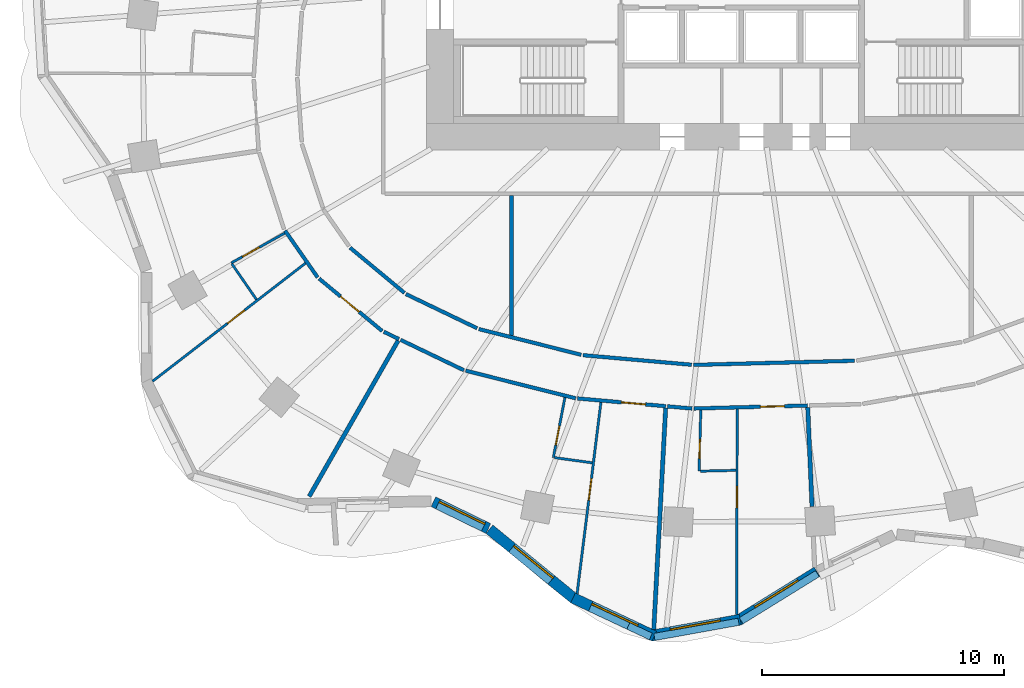
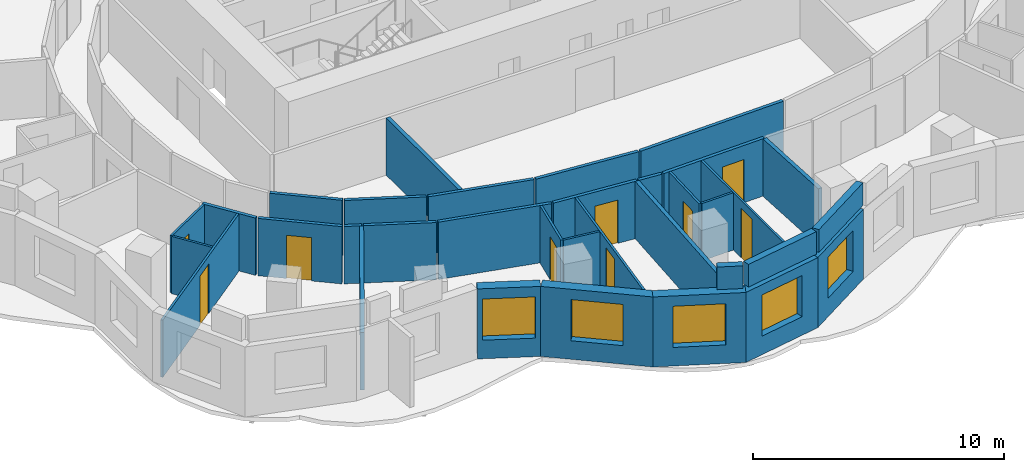
# One storey, part 5 of 14: 34 walls, 9 doors, 5 windows, 14 openings.
"""IFC4 building model written with IfcOpenShell, lengths in metres."""

from ifc_helpers import new_model, si_unit, direction, frame, frame_2d, origin, place, context, subcontext, project, spatial, rectangle, extrude, material, layer, layer_set, type_object, element, fill, save


model = new_model("IFC4")

# Units and contexts
model_context = context("Model", 3, precision=1e-05, world=origin(), true_north=direction((0.0, 1.0)))
body_context = subcontext(model_context, "Body", "Model", "MODEL_VIEW")
ifc_project = project(units=[si_unit("LENGTHUNIT", "METRE"), si_unit("AREAUNIT", "SQUARE_METRE"), si_unit("VOLUMEUNIT", "CUBIC_METRE"), si_unit("PLANEANGLEUNIT", "RADIAN"), si_unit("MASSUNIT", "GRAM", prefix="KILO")], contexts=[model_context])

# Site, building, storey
site_placement = place(None, origin())
site = spatial("IfcSite", under=ifc_project, at=site_placement, CompositionType="ELEMENT")
building_placement = place(site_placement, origin())
building = spatial("IfcBuilding", under=site, at=building_placement, Name="Rubra Terraces Tower", CompositionType="ELEMENT")
storey_placement = place(building_placement, frame((0.0, 0.0, 103.199951171875)))
storey = spatial("IfcBuildingStorey", under=building, at=storey_placement, Name="L24", CompositionType="ELEMENT", Elevation=103.199951171875)

# Walls
ifc_material_1 = material(Name="Twin plasterboard on staggered steel stud, acoustic mineral wool", Category="steel")
ifc_layer_1 = layer(ifc_material_1, 0.175048828125)
ifc_layer_set_1 = layer_set([ifc_layer_1], Name="Twin plasterboard on staggered steel stud, acoustic mineral wool")
wall_type_1 = type_object("IfcWallType", Name="ACOUSTIC PARTY WALL 175", PredefinedType="PARTITIONING", material=ifc_layer_set_1)
wall_1_placement = place(storey_placement, frame((-17.8544921875, -17.305908203125, 0.0), z_axis=(0.0, 0.0, 1.0), x_axis=(0.495791223875, 0.868441743774, 0.0)))
element("IfcWall", 1, at=wall_1_placement, inside=storey, type_object=wall_type_1, Name="PARTITION", PredefinedType="PARTITIONING", context=body_context, shape_type="SweptSolid", body=[
    extrude(rectangle(XDim=7.4111328125, YDim=0.175048828125, at=frame_2d((3.70556640625, 0.0))), origin(), (0.0, 0.0, 1.0), 2.783935546875),
])
wall_2_placement = place(storey_placement, frame((-3.616455078125, -22.80810546875, 0.0), z_axis=(0.0, 0.0, 1.0), x_axis=(0.053604251486, 0.998562258561, 0.0)))
element("IfcWall", 2, at=wall_2_placement, inside=storey, type_object=wall_type_1, Name="PARTITION", PredefinedType="PARTITIONING", context=body_context, shape_type="SweptSolid", body=[
    extrude(rectangle(XDim=9.168212890625, YDim=0.175048828125, at=frame_2d((4.583984375, 0.0))), origin(), (0.0, 0.0, 1.0), 2.783935546875),
])
wall_3_placement = place(storey_placement, frame((2.922607421875, -17.7294921875, 0.0), z_axis=(0.0, 0.0, 1.0), x_axis=(-0.043145793773, 0.999068786661, 0.0)))
element("IfcWall", 3, at=wall_3_placement, inside=storey, type_object=wall_type_1, Name="PARTITION", PredefinedType="PARTITIONING", context=body_context, shape_type="SweptSolid", body=[
    extrude(rectangle(XDim=4.108154296875, YDim=0.175048828125, at=frame_2d((2.05419921875, 0.0))), origin(), (0.0, 0.0, 1.0), 2.783935546875),
])
wall_4_placement = place(storey_placement, frame((-9.5, -10.653564453125, 0.0), z_axis=(0.0, 0.0, 1.0), x_axis=(0.0, 1.0, 0.0)))
element("IfcWall", 4, at=wall_4_placement, inside=storey, type_object=wall_type_1, Name="PARTITION", PredefinedType="PARTITIONING", context=body_context, shape_type="SweptSolid", body=[
    extrude(rectangle(XDim=5.778564453125, YDim=0.175048828125, at=frame_2d((2.88916015625, 0.0))), origin(), (0.0, 0.0, 1.0), 2.783935546875),
])

# Wall, opening, window
ifc_material_2 = material(Name="Brick masonry red-brown", Category="masonry")
ifc_layer_2 = layer(ifc_material_2, 0.449951171875)
ifc_layer_set_2 = layer_set([ifc_layer_2], Name="Brick masonry red-brown")
wall_type_2 = type_object("IfcWallType", Name="Brick facade wall 450", PredefinedType="SOLIDWALL", material=ifc_layer_set_2)
wall_5_placement = place(storey_placement, frame((-12.718994140625, -17.52587890625, 0.0), z_axis=(0.0, 0.0, 1.0), x_axis=(0.898643806462, -0.438679050226, 0.0)))
wall_5 = element("IfcWall", 5, at=wall_5_placement, inside=storey, type_object=wall_type_2, Name="Facade wall L24 bay 27", PredefinedType="SOLIDWALL", context=body_context, shape_type="SweptSolid", body=[
    extrude(rectangle(XDim=2.5234375, YDim=0.449951171875, at=frame_2d((1.26171875, 0.0))), origin(), (0.0, 0.0, 1.0), 3.400146484375),
])
opening_1_placement = place(wall_5_placement, frame((0.2119140625, 0.0, 0.89990234375)))
opening_1 = element("IfcOpeningElement", 6, at=opening_1_placement, cuts=wall_5, Name="Opening W1", PredefinedType="OPENING", context=body_context, shape_type="SweptSolid", body=[
    extrude(rectangle(XDim=2.10009765625, YDim=2.0, at=frame_2d((1.050048828125, 1.0))), frame((0.0, 0.23486328125, 0.0), z_axis=(0.0, -1.0, 0.0), x_axis=(1.0, 0.0, 0.0)), (0.0, 0.0, 1.0), 0.469970703125),
])
ifc_material_3 = material(Name="Clear glass in aluminium frame", Category="aluminium")
window_type = type_object("IfcWindowType", Name="Fixed deep-set window 2100 x 2000", PartitioningType="SINGLE_PANEL", PredefinedType="WINDOW", material=ifc_material_3)
window_1_placement = place(opening_1_placement, origin())
window_1 = element("IfcWindow", 7, at=window_1_placement, inside=storey, type_object=window_type, Name="Window L24 bay 27", OverallHeight=2.0, OverallWidth=2.10009765625, PartitioningType="SINGLE_PANEL", PredefinedType="WINDOW", context=body_context, shape_type="SweptSolid", body=[
    extrude(rectangle(XDim=2.10009765625, YDim=2.0, at=frame_2d((1.050048828125, 1.0))), frame((0.0, 0.135009765625, 0.0), z_axis=(0.0, -1.0, 0.0), x_axis=(1.0, 0.0, 0.0)), (0.0, 0.0, 1.0), 0.06005859375),
])
fill(opening_1, window_1)

wall_6_placement = place(storey_placement, frame((-10.407470703125, -18.660888671875, 0.0), z_axis=(0.0, 0.0, 1.0), x_axis=(0.773702458947, -0.633549133864, 0.0)))
wall_6 = element("IfcWall", 8, at=wall_6_placement, inside=storey, type_object=wall_type_2, Name="Facade wall L24 bay 28", PredefinedType="SOLIDWALL", context=body_context, shape_type="SweptSolid", body=[
    extrude(rectangle(XDim=4.525634765625, YDim=0.449951171875, at=frame_2d((2.2626953125, 0.0))), origin(), (0.0, 0.0, 1.0), 3.400146484375),
])
opening_2_placement = place(wall_6_placement, frame((1.212890625, 0.0, 0.89990234375)))
opening_2 = element("IfcOpeningElement", 9, at=opening_2_placement, cuts=wall_6, Name="Opening W1", PredefinedType="OPENING", context=body_context, shape_type="SweptSolid", body=[
    extrude(rectangle(XDim=2.10009765625, YDim=2.0, at=frame_2d((1.050048828125, 1.0))), frame((0.0, 0.23486328125, 0.0), z_axis=(0.0, -1.0, 0.0), x_axis=(1.0, 0.0, 0.0)), (0.0, 0.0, 1.0), 0.469970703125),
])
window_2_placement = place(opening_2_placement, origin())
window_2 = element("IfcWindow", 10, at=window_2_placement, inside=storey, type_object=window_type, Name="Window L24 bay 28", OverallHeight=2.0, OverallWidth=2.10009765625, PartitioningType="SINGLE_PANEL", PredefinedType="WINDOW", context=body_context, shape_type="SweptSolid", body=[
    extrude(rectangle(XDim=2.10009765625, YDim=2.0, at=frame_2d((1.050048828125, 1.0))), frame((0.0, 0.135009765625, 0.0), z_axis=(0.0, -1.0, 0.0), x_axis=(1.0, 0.0, 0.0)), (0.0, 0.0, 1.0), 0.06005859375),
])
fill(opening_2, window_2)

wall_7_placement = place(storey_placement, frame((-6.952880859375, -21.49853515625, 0.0), z_axis=(0.0, 0.0, 1.0), x_axis=(0.905034581957, -0.425337989676, 0.0)))
wall_7 = element("IfcWall", 11, at=wall_7_placement, inside=storey, type_object=wall_type_2, Name="Facade wall L24 bay 29", PredefinedType="SOLIDWALL", context=body_context, shape_type="SweptSolid", body=[
    extrude(rectangle(XDim=3.71435546875, YDim=0.449951171875, at=frame_2d((1.857177734375, 0.0))), origin(), (0.0, 0.0, 1.0), 3.400146484375),
])
opening_3_placement = place(wall_7_placement, frame((0.80712890625, 0.0, 0.89990234375)))
opening_3 = element("IfcOpeningElement", 12, at=opening_3_placement, cuts=wall_7, Name="Opening W1", PredefinedType="OPENING", context=body_context, shape_type="SweptSolid", body=[
    extrude(rectangle(XDim=2.10009765625, YDim=2.0, at=frame_2d((1.050048828125, 1.0))), frame((0.0, 0.23486328125, 0.0), z_axis=(0.0, -1.0, 0.0), x_axis=(1.0, 0.0, 0.0)), (0.0, 0.0, 1.0), 0.469970703125),
])
window_3_placement = place(opening_3_placement, origin())
window_3 = element("IfcWindow", 13, at=window_3_placement, inside=storey, type_object=window_type, Name="Window L24 bay 29", OverallHeight=2.0, OverallWidth=2.10009765625, PartitioningType="SINGLE_PANEL", PredefinedType="WINDOW", context=body_context, shape_type="SweptSolid", body=[
    extrude(rectangle(XDim=2.10009765625, YDim=2.0, at=frame_2d((1.050048828125, 1.0))), frame((0.0, 0.135009765625, 0.0), z_axis=(0.0, -1.0, 0.0), x_axis=(1.0, 0.0, 0.0)), (0.0, 0.0, 1.0), 0.06005859375),
])
fill(opening_3, window_3)

wall_8_placement = place(storey_placement, frame((-3.726806640625, -23.060546875, 0.0), z_axis=(0.0, 0.0, 1.0), x_axis=(0.984119180424, 0.177508982087, 0.0)))
wall_8 = element("IfcWall", 14, at=wall_8_placement, inside=storey, type_object=wall_type_2, Name="Facade wall L24 bay 30", PredefinedType="SOLIDWALL", context=body_context, shape_type="SweptSolid", body=[
    extrude(rectangle(XDim=3.74658203125, YDim=0.449951171875, at=frame_2d((1.873291015625, 0.0))), origin(), (0.0, 0.0, 1.0), 3.400146484375),
])
opening_4_placement = place(wall_8_placement, frame((0.8232421875, 0.0, 0.89990234375)))
opening_4 = element("IfcOpeningElement", 15, at=opening_4_placement, cuts=wall_8, Name="Opening W1", PredefinedType="OPENING", context=body_context, shape_type="SweptSolid", body=[
    extrude(rectangle(XDim=2.10009765625, YDim=2.0, at=frame_2d((1.050048828125, 1.0))), frame((0.0, 0.23486328125, 0.0), z_axis=(0.0, -1.0, 0.0), x_axis=(1.0, 0.0, 0.0)), (0.0, 0.0, 1.0), 0.469970703125),
])
window_4_placement = place(opening_4_placement, origin())
window_4 = element("IfcWindow", 16, at=window_4_placement, inside=storey, type_object=window_type, Name="Window L24 bay 30", OverallHeight=2.0, OverallWidth=2.10009765625, PartitioningType="SINGLE_PANEL", PredefinedType="WINDOW", context=body_context, shape_type="SweptSolid", body=[
    extrude(rectangle(XDim=2.10009765625, YDim=2.0, at=frame_2d((1.050048828125, 1.0))), frame((0.0, 0.135009765625, 0.0), z_axis=(0.0, -1.0, 0.0), x_axis=(1.0, 0.0, 0.0)), (0.0, 0.0, 1.0), 0.06005859375),
])
fill(opening_4, window_4)

wall_9_placement = place(storey_placement, frame((-0.114990234375, -22.423583984375, 0.0), z_axis=(0.0, 0.0, 1.0), x_axis=(0.8506970368, 0.525656305564, 0.0)))
wall_9 = element("IfcWall", 17, at=wall_9_placement, inside=storey, type_object=wall_type_2, Name="Facade wall L24 bay 31", PredefinedType="SOLIDWALL", context=body_context, shape_type="SweptSolid", body=[
    extrude(rectangle(XDim=3.81640625, YDim=0.449951171875, at=frame_2d((1.908203125, 0.0))), origin(), (0.0, 0.0, 1.0), 3.400146484375),
])
opening_5_placement = place(wall_9_placement, frame((0.858154296875, 0.0, 0.89990234375)))
opening_5 = element("IfcOpeningElement", 18, at=opening_5_placement, cuts=wall_9, Name="Opening W1", PredefinedType="OPENING", context=body_context, shape_type="SweptSolid", body=[
    extrude(rectangle(XDim=2.10009765625, YDim=2.0, at=frame_2d((1.050048828125, 1.0))), frame((0.0, 0.23486328125, 0.0), z_axis=(0.0, -1.0, 0.0), x_axis=(1.0, 0.0, 0.0)), (0.0, 0.0, 1.0), 0.469970703125),
])
window_5_placement = place(opening_5_placement, origin())
window_5 = element("IfcWindow", 19, at=window_5_placement, inside=storey, type_object=window_type, Name="Window L24 bay 31", OverallHeight=2.0, OverallWidth=2.10009765625, PartitioningType="SINGLE_PANEL", PredefinedType="WINDOW", context=body_context, shape_type="SweptSolid", body=[
    extrude(rectangle(XDim=2.10009765625, YDim=2.0, at=frame_2d((1.050048828125, 1.0))), frame((0.0, 0.135009765625, 0.0), z_axis=(0.0, -1.0, 0.0), x_axis=(1.0, 0.0, 0.0)), (0.0, 0.0, 1.0), 0.06005859375),
])
fill(opening_5, window_5)

# Walls
ifc_layer_3 = layer(ifc_material_2, 0.300048828125)
ifc_layer_set_3 = layer_set([ifc_layer_3], Name="Brick masonry red-brown")
wall_type_3 = type_object("IfcWallType", Name="Brick parapet 300", PredefinedType="PARAPET", material=ifc_layer_set_3)
wall_10_placement = place(storey_placement, frame((-4.66650390625, -22.656005859375, 3.60009765625), z_axis=(0.0, 0.0, 1.0), x_axis=(0.905050240273, -0.425304670304, 0.0)))
element("IfcWall", 20, at=wall_10_placement, inside=storey, type_object=wall_type_3, Name="Parapet L24 bay 29", PredefinedType="PARAPET", context=body_context, shape_type="SweptSolid", body=[
    extrude(rectangle(XDim=1.02685546875, YDim=0.300048828125, at=frame_2d((0.513427734375, 0.0))), origin(), (0.0, 0.0, 1.0), 1.099853515625),
])
wall_11_placement = place(storey_placement, frame((-3.58984375, -23.112060546875, 3.60009765625), z_axis=(0.0, 0.0, 1.0), x_axis=(0.984124248147, 0.177480884064, 0.0)))
element("IfcWall", 21, at=wall_11_placement, inside=storey, type_object=wall_type_3, Name="Parapet L24 bay 30", PredefinedType="PARAPET", context=body_context, shape_type="SweptSolid", body=[
    extrude(rectangle(XDim=3.533935546875, YDim=0.300048828125, at=frame_2d((1.76708984375, 0.0))), origin(), (0.0, 0.0, 1.0), 1.099853515625),
])
wall_12_placement = place(storey_placement, frame((-0.0048828125, -22.443603515625, 3.60009765625), z_axis=(0.0, 0.0, 1.0), x_axis=(0.850710394144, 0.525634688063, 0.0)))
element("IfcWall", 22, at=wall_12_placement, inside=storey, type_object=wall_type_3, Name="Parapet L24 bay 31", PredefinedType="PARAPET", context=body_context, shape_type="SweptSolid", body=[
    extrude(rectangle(XDim=3.701904296875, YDim=0.300048828125, at=frame_2d((1.85107421875, 0.0))), origin(), (0.0, 0.0, 1.0), 1.099853515625),
])
ifc_material_4 = material(Name="Plasterboard on steel stud, mineral wool infill", Category="steel")
ifc_layer_4 = layer(ifc_material_4, 0.14990234375)
ifc_layer_set_4 = layer_set([ifc_layer_4], Name="Plasterboard on steel stud, mineral wool infill")
wall_type_4 = type_object("IfcWallType", Name="CORRIDOR PARTITION 150", PredefinedType="PARTITIONING", material=ifc_layer_set_4)
wall_13_placement = place(storey_placement, frame((-18.85107421875, -6.324951171875, 0.0), z_axis=(0.0, 0.0, 1.0), x_axis=(0.572090775968, -0.820190309656, 0.0)))
element("IfcWall", 23, at=wall_13_placement, inside=storey, type_object=wall_type_4, Name="PARTITION", PredefinedType="PARTITIONING", context=body_context, shape_type="SweptSolid", body=[
    extrude(rectangle(XDim=2.354736328125, YDim=0.14990234375, at=frame_2d((1.17724609375, 0.0))), origin(), (0.0, 0.0, 1.0), 2.783935546875),
])

# Wall, opening, door
wall_14_placement = place(storey_placement, frame((-17.4462890625, -8.30419921875, 0.0), z_axis=(0.0, 0.0, 1.0), x_axis=(0.769200174495, -0.639007896318, 0.0)))
wall_14 = element("IfcWall", 24, at=wall_14_placement, inside=storey, type_object=wall_type_4, Name="PARTITION", PredefinedType="PARTITIONING", context=body_context, shape_type="SweptSolid", body=[
    extrude(rectangle(XDim=3.390380859375, YDim=0.14990234375, at=frame_2d((1.6953125, 0.0))), origin(), (0.0, 0.0, 1.0), 2.783935546875),
])
opening_6_placement = place(wall_14_placement, frame((1.156005859375, 0.0, 0.0)))
opening_6 = element("IfcOpeningElement", 25, at=opening_6_placement, cuts=wall_14, Name="Opening 24-109", PredefinedType="OPENING", context=body_context, shape_type="SweptSolid", body=[
    extrude(rectangle(XDim=1.0, YDim=2.10009765625, at=frame_2d((0.5, 1.050048828125))), frame((0.0, 0.0849609375, 0.0), z_axis=(0.0, -1.0, 0.0), x_axis=(1.0, 0.0, 0.0)), (0.0, 0.0, 1.0), 0.169921875),
])
ifc_material_5 = material(Name="Painted timber door leaf", Category="wood")
door_type_1 = type_object("IfcDoorType", Name="ROOM DOOR 1000 X 2100", OperationType="SINGLE_SWING_LEFT", PredefinedType="DOOR", material=ifc_material_5)
door_1_placement = place(opening_6_placement, origin())
door_1 = element("IfcDoor", 26, at=door_1_placement, inside=storey, type_object=door_type_1, Name="DOOR 24-109", OperationType="SINGLE_SWING_RIGHT", OverallHeight=2.10009765625, OverallWidth=1.0, PredefinedType="DOOR", context=body_context, shape_type="SweptSolid", body=[
    extrude(rectangle(XDim=1.0, YDim=2.10009765625, at=frame_2d((0.5, 1.050048828125))), frame((0.0, 0.02490234375, 0.0), z_axis=(0.0, -1.0, 0.0), x_axis=(1.0, 0.0, 0.0)), (0.0, 0.0, 1.0), 0.050048828125),
])
fill(opening_6, door_1)

# Walls
wall_15_placement = place(storey_placement, frame((-14.77099609375, -10.50341796875, 0.0), z_axis=(0.0, 0.0, 1.0), x_axis=(0.901599625174, -0.432571515344, 0.0)))
element("IfcWall", 27, at=wall_15_placement, inside=storey, type_object=wall_type_4, Name="PARTITION", PredefinedType="PARTITIONING", context=body_context, shape_type="SweptSolid", body=[
    extrude(rectangle(XDim=0.696533203125, YDim=0.14990234375, at=frame_2d((0.34814453125, 0.0))), origin(), (0.0, 0.0, 1.0), 2.783935546875),
])
wall_16_placement = place(storey_placement, frame((-14.075439453125, -10.83740234375, 0.0), z_axis=(0.0, 0.0, 1.0), x_axis=(0.901513866033, -0.432750215887, 0.0)))
element("IfcWall", 28, at=wall_16_placement, inside=storey, type_object=wall_type_4, Name="PARTITION", PredefinedType="PARTITIONING", context=body_context, shape_type="SweptSolid", body=[
    extrude(rectangle(XDim=2.9013671875, YDim=0.14990234375, at=frame_2d((1.45068359375, 0.0))), origin(), (0.0, 0.0, 1.0), 2.783935546875),
])
wall_17_placement = place(storey_placement, frame((-11.386962890625, -12.111328125, 0.0), z_axis=(0.0, 0.0, 1.0), x_axis=(0.96999205549, -0.243136612393, 0.0)))
element("IfcWall", 29, at=wall_17_placement, inside=storey, type_object=wall_type_4, Name="PARTITION", PredefinedType="PARTITIONING", context=body_context, shape_type="SweptSolid", body=[
    extrude(rectangle(XDim=4.683349609375, YDim=0.14990234375, at=frame_2d((2.341796875, 0.0))), origin(), (0.0, 0.0, 1.0), 2.783935546875),
])

# Wall, opening, door
wall_18_placement = place(storey_placement, frame((-6.76953125, -13.256591796875, 0.0), z_axis=(0.0, 0.0, 1.0), x_axis=(0.996139113685, -0.087788758881, 0.0)))
wall_18 = element("IfcWall", 30, at=wall_18_placement, inside=storey, type_object=wall_type_4, Name="PARTITION", PredefinedType="PARTITIONING", context=body_context, shape_type="SweptSolid", body=[
    extrude(rectangle(XDim=3.66259765625, YDim=0.14990234375, at=frame_2d((1.831298828125, 0.0))), origin(), (0.0, 0.0, 1.0), 2.783935546875),
])
opening_7_placement = place(wall_18_placement, frame((1.822998046875, 0.0, 0.0)))
opening_7 = element("IfcOpeningElement", 31, at=opening_7_placement, cuts=wall_18, Name="Opening 24-112", PredefinedType="OPENING", context=body_context, shape_type="SweptSolid", body=[
    extrude(rectangle(XDim=1.0, YDim=2.10009765625, at=frame_2d((0.5, 1.050048828125))), frame((0.0, 0.0849609375, 0.0), z_axis=(0.0, -1.0, 0.0), x_axis=(1.0, 0.0, 0.0)), (0.0, 0.0, 1.0), 0.169921875),
])
door_2_placement = place(opening_7_placement, origin())
door_2 = element("IfcDoor", 32, at=door_2_placement, inside=storey, type_object=door_type_1, Name="DOOR 24-112", OperationType="SINGLE_SWING_RIGHT", OverallHeight=2.10009765625, OverallWidth=1.0, PredefinedType="DOOR", context=body_context, shape_type="SweptSolid", body=[
    extrude(rectangle(XDim=1.0, YDim=2.10009765625, at=frame_2d((0.5, 1.050048828125))), frame((0.0, 0.02490234375, 0.0), z_axis=(0.0, -1.0, 0.0), x_axis=(1.0, 0.0, 0.0)), (0.0, 0.0, 1.0), 0.050048828125),
])
fill(opening_7, door_2)

# Wall
wall_19_placement = place(storey_placement, frame((-3.04638671875, -13.584716796875, 0.0), z_axis=(0.0, 0.0, 1.0), x_axis=(0.99614280397, -0.087746875151, 0.0)))
element("IfcWall", 33, at=wall_19_placement, inside=storey, type_object=wall_type_4, Name="PARTITION", PredefinedType="PARTITIONING", context=body_context, shape_type="SweptSolid", body=[
    extrude(rectangle(XDim=1.018310546875, YDim=0.14990234375, at=frame_2d((0.50927734375, 0.0))), origin(), (0.0, 0.0, 1.0), 2.783935546875),
])

# Wall, opening, door
wall_20_placement = place(storey_placement, frame((-1.95703125, -13.672119140625, 0.0), z_axis=(0.0, 0.0, 1.0), x_axis=(0.99966412241, 0.025916063855, 0.0)))
wall_20 = element("IfcWall", 34, at=wall_20_placement, inside=storey, type_object=wall_type_4, Name="PARTITION", PredefinedType="PARTITIONING", context=body_context, shape_type="SweptSolid", body=[
    extrude(rectangle(XDim=4.70068359375, YDim=0.14990234375, at=frame_2d((2.350341796875, 0.0))), origin(), (0.0, 0.0, 1.0), 2.783935546875),
])
opening_8_placement = place(wall_20_placement, frame((2.742919921875, 0.0, 0.0)))
opening_8 = element("IfcOpeningElement", 35, at=opening_8_placement, cuts=wall_20, Name="Opening 24-115", PredefinedType="OPENING", context=body_context, shape_type="SweptSolid", body=[
    extrude(rectangle(XDim=1.0, YDim=2.10009765625, at=frame_2d((0.5, 1.050048828125))), frame((0.0, 0.0849609375, 0.0), z_axis=(0.0, -1.0, 0.0), x_axis=(1.0, 0.0, 0.0)), (0.0, 0.0, 1.0), 0.169921875),
])
door_3_placement = place(opening_8_placement, origin())
door_3 = element("IfcDoor", 36, at=door_3_placement, inside=storey, type_object=door_type_1, Name="DOOR 24-115", OperationType="SINGLE_SWING_RIGHT", OverallHeight=2.10009765625, OverallWidth=1.0, PredefinedType="DOOR", context=body_context, shape_type="SweptSolid", body=[
    extrude(rectangle(XDim=1.0, YDim=2.10009765625, at=frame_2d((0.5, 1.050048828125))), frame((0.0, 0.02490234375, 0.0), z_axis=(0.0, -1.0, 0.0), x_axis=(1.0, 0.0, 0.0)), (0.0, 0.0, 1.0), 0.050048828125),
])
fill(opening_8, door_3)

# Walls
wall_21_placement = place(storey_placement, frame((4.684326171875, -11.69921875, 0.0), z_axis=(0.0, 0.0, 1.0), x_axis=(-0.999663438204, -0.025942442425, 0.0)))
element("IfcWall", 37, at=wall_21_placement, inside=storey, type_object=wall_type_4, Name="PARTITION", PredefinedType="PARTITIONING", context=body_context, shape_type="SweptSolid", body=[
    extrude(rectangle(XDim=6.662841796875, YDim=0.14990234375, at=frame_2d((3.33154296875, 0.0))), origin(), (0.0, 0.0, 1.0), 2.783935546875),
])
wall_22_placement = place(storey_placement, frame((-2.05078125, -11.865478515625, 0.0), z_axis=(0.0, 0.0, 1.0), x_axis=(-0.996139599493, 0.087783246245, 0.0)))
element("IfcWall", 38, at=wall_22_placement, inside=storey, type_object=wall_type_4, Name="PARTITION", PredefinedType="PARTITIONING", context=body_context, shape_type="SweptSolid", body=[
    extrude(rectangle(XDim=4.510986328125, YDim=0.14990234375, at=frame_2d((2.25537109375, 0.0))), origin(), (0.0, 0.0, 1.0), 2.783935546875),
])
wall_23_placement = place(storey_placement, frame((-6.6171875, -11.451416015625, 0.0), z_axis=(0.0, 0.0, 1.0), x_axis=(-0.969987441267, 0.243155020069, 0.0)))
element("IfcWall", 39, at=wall_23_placement, inside=storey, type_object=wall_type_4, Name="PARTITION", PredefinedType="PARTITIONING", context=body_context, shape_type="SweptSolid", body=[
    extrude(rectangle(XDim=4.358642578125, YDim=0.14990234375, at=frame_2d((2.17919921875, 0.0))), origin(), (0.0, 0.0, 1.0), 2.783935546875),
])
wall_24_placement = place(storey_placement, frame((-10.91259765625, -10.35888671875, 0.0), z_axis=(0.0, 0.0, 1.0), x_axis=(-0.90149741277, 0.432784489982, 0.0)))
element("IfcWall", 40, at=wall_24_placement, inside=storey, type_object=wall_type_4, Name="PARTITION", PredefinedType="PARTITIONING", context=body_context, shape_type="SweptSolid", body=[
    extrude(rectangle(XDim=3.2685546875, YDim=0.14990234375, at=frame_2d((1.63427734375, 0.0))), origin(), (0.0, 0.0, 1.0), 2.783935546875),
])
wall_25_placement = place(storey_placement, frame((-13.916748046875, -8.896484375, 0.0), z_axis=(0.0, 0.0, 1.0), x_axis=(-0.769130409479, 0.639091866021, 0.0)))
element("IfcWall", 41, at=wall_25_placement, inside=storey, type_object=wall_type_4, Name="PARTITION", PredefinedType="PARTITIONING", context=body_context, shape_type="SweptSolid", body=[
    extrude(rectangle(XDim=2.925048828125, YDim=0.14990234375, at=frame_2d((1.46240234375, 0.0))), origin(), (0.0, 0.0, 1.0), 2.783935546875),
])

# Wall, opening, door
ifc_material_6 = material(Name="Plasterboard on steel stud", Category="steel")
ifc_layer_5 = layer(ifc_material_6, 0.10009765625)
ifc_layer_set_5 = layer_set([ifc_layer_5], Name="Plasterboard on steel stud")
wall_type_5 = type_object("IfcWallType", Name="ROOM PARTITION 100", PredefinedType="PARTITIONING", material=ifc_layer_set_5)
wall_26_placement = place(storey_placement, frame((-24.32421875, -12.547119140625, 0.0), z_axis=(0.0, 0.0, 1.0), x_axis=(0.791438995489, 0.611248162713, 0.0)))
wall_26 = element("IfcWall", 42, at=wall_26_placement, inside=storey, type_object=wall_type_5, Name="PARTITION", PredefinedType="PARTITIONING", context=body_context, shape_type="SweptSolid", body=[
    extrude(rectangle(XDim=7.983154296875, YDim=0.10009765625, at=frame_2d((3.99169921875, 0.0))), origin(), (0.0, 0.0, 1.0), 2.783935546875),
])
opening_9_placement = place(wall_26_placement, frame((3.907958984375, 0.0, 0.0)))
opening_9 = element("IfcOpeningElement", 43, at=opening_9_placement, cuts=wall_26, Name="Opening 24-108", PredefinedType="OPENING", context=body_context, shape_type="SweptSolid", body=[
    extrude(rectangle(XDim=0.89990234375, YDim=2.39990234375, at=frame_2d((0.449951171875, 1.199951171875))), frame((0.0, 0.06005859375, 0.0), z_axis=(0.0, -1.0, 0.0), x_axis=(1.0, 0.0, 0.0)), (0.0, 0.0, 1.0), 0.1201171875),
])
ifc_material_7 = material(Name="Veneered timber door leaf, fire-rated", Category="wood")
door_type_2 = type_object("IfcDoorType", Name="SUITE ENTRANCE DOOR 900 X 2400", OperationType="SINGLE_SWING_LEFT", PredefinedType="DOOR", material=ifc_material_7)
door_4_placement = place(opening_9_placement, origin())
door_4 = element("IfcDoor", 44, at=door_4_placement, inside=storey, type_object=door_type_2, Name="DOOR 24-108", OperationType="SINGLE_SWING_LEFT", OverallHeight=2.39990234375, OverallWidth=0.89990234375, PredefinedType="DOOR", context=body_context, shape_type="SweptSolid", body=[
    extrude(rectangle(XDim=0.89990234375, YDim=2.39990234375, at=frame_2d((0.449951171875, 1.199951171875))), frame((0.0, 0.02490234375, 0.0), z_axis=(0.0, -1.0, 0.0), x_axis=(1.0, 0.0, 0.0)), (0.0, 0.0, 1.0), 0.050048828125),
])
fill(opening_9, door_4)

wall_27_placement = place(storey_placement, frame((-18.8701171875, -6.427978515625, 0.0), z_axis=(0.0, 0.0, 1.0), x_axis=(-0.87307423494, -0.487587305294, 0.0)))
wall_27 = element("IfcWall", 45, at=wall_27_placement, inside=storey, type_object=wall_type_5, Name="PARTITION", PredefinedType="PARTITIONING", context=body_context, shape_type="SweptSolid", body=[
    extrude(rectangle(XDim=2.525146484375, YDim=0.10009765625, at=frame_2d((1.2626953125, 0.0))), origin(), (0.0, 0.0, 1.0), 2.783935546875),
])
opening_10_placement = place(wall_27_placement, frame((1.199951171875, 0.0, 0.0)))
opening_10 = element("IfcOpeningElement", 46, at=opening_10_placement, cuts=wall_27, Name="Opening 24-107", PredefinedType="OPENING", context=body_context, shape_type="SweptSolid", body=[
    extrude(rectangle(XDim=0.800048828125, YDim=2.10009765625, at=frame_2d((0.39990234375, 1.050048828125))), frame((0.0, 0.06005859375, 0.0), z_axis=(0.0, -1.0, 0.0), x_axis=(1.0, 0.0, 0.0)), (0.0, 0.0, 1.0), 0.1201171875),
])
door_type_3 = type_object("IfcDoorType", Name="BATHROOM DOOR 800 X 2100", OperationType="SINGLE_SWING_LEFT", PredefinedType="DOOR", material=ifc_material_5)
door_5_placement = place(opening_10_placement, origin())
door_5 = element("IfcDoor", 47, at=door_5_placement, inside=storey, type_object=door_type_3, Name="DOOR 24-107", OperationType="SINGLE_SWING_LEFT", OverallHeight=2.10009765625, OverallWidth=0.800048828125, PredefinedType="DOOR", context=body_context, shape_type="SweptSolid", body=[
    extrude(rectangle(XDim=0.800048828125, YDim=2.10009765625, at=frame_2d((0.39990234375, 1.050048828125))), frame((0.0, 0.02490234375, 0.0), z_axis=(0.0, -1.0, 0.0), x_axis=(1.0, 0.0, 0.0)), (0.0, 0.0, 1.0), 0.050048828125),
])
fill(opening_10, door_5)

# Wall
wall_28_placement = place(storey_placement, frame((-21.046142578125, -7.7001953125, 0.0), z_axis=(0.0, 0.0, 1.0), x_axis=(0.567729759738, -0.82321499009, 0.0)))
element("IfcWall", 48, at=wall_28_placement, inside=storey, type_object=wall_type_5, Name="PARTITION", PredefinedType="PARTITIONING", context=body_context, shape_type="SweptSolid", body=[
    extrude(rectangle(XDim=1.78515625, YDim=0.10009765625, at=frame_2d((0.892578125, 0.0))), origin(), (0.0, 0.0, 1.0), 2.783935546875),
])

# Wall, opening, door
wall_29_placement = place(storey_placement, frame((-6.784423828125, -21.32470703125, 0.0), z_axis=(0.0, 0.0, 1.0), x_axis=(0.123563365561, 0.992336684141, 0.0)))
wall_29 = element("IfcWall", 49, at=wall_29_placement, inside=storey, type_object=wall_type_5, Name="PARTITION", PredefinedType="PARTITIONING", context=body_context, shape_type="SweptSolid", body=[
    extrude(rectangle(XDim=7.968505859375, YDim=0.10009765625, at=frame_2d((3.984375, 0.0))), origin(), (0.0, 0.0, 1.0), 2.783935546875),
])
opening_11_placement = place(wall_29_placement, frame((3.89306640625, 0.0, 0.0)))
opening_11 = element("IfcOpeningElement", 50, at=opening_11_placement, cuts=wall_29, Name="Opening 24-111", PredefinedType="OPENING", context=body_context, shape_type="SweptSolid", body=[
    extrude(rectangle(XDim=0.89990234375, YDim=2.39990234375, at=frame_2d((0.449951171875, 1.199951171875))), frame((0.0, 0.06005859375, 0.0), z_axis=(0.0, -1.0, 0.0), x_axis=(1.0, 0.0, 0.0)), (0.0, 0.0, 1.0), 0.1201171875),
])
door_6_placement = place(opening_11_placement, origin())
door_6 = element("IfcDoor", 51, at=door_6_placement, inside=storey, type_object=door_type_2, Name="DOOR 24-111", OperationType="SINGLE_SWING_LEFT", OverallHeight=2.39990234375, OverallWidth=0.89990234375, PredefinedType="DOOR", context=body_context, shape_type="SweptSolid", body=[
    extrude(rectangle(XDim=0.89990234375, YDim=2.39990234375, at=frame_2d((0.449951171875, 1.199951171875))), frame((0.0, 0.02490234375, 0.0), z_axis=(0.0, -1.0, 0.0), x_axis=(1.0, 0.0, 0.0)), (0.0, 0.0, 1.0), 0.050048828125),
])
fill(opening_11, door_6)

wall_30_placement = place(storey_placement, frame((-7.287353515625, -13.216064453125, 0.0), z_axis=(0.0, 0.0, 1.0), x_axis=(-0.189119930845, -0.981953996762, 0.0)))
wall_30 = element("IfcWall", 52, at=wall_30_placement, inside=storey, type_object=wall_type_5, Name="PARTITION", PredefinedType="PARTITIONING", context=body_context, shape_type="SweptSolid", body=[
    extrude(rectangle(XDim=2.525146484375, YDim=0.10009765625, at=frame_2d((1.2626953125, 0.0))), origin(), (0.0, 0.0, 1.0), 2.783935546875),
])
opening_12_placement = place(wall_30_placement, frame((1.199951171875, 0.0, 0.0)))
opening_12 = element("IfcOpeningElement", 53, at=opening_12_placement, cuts=wall_30, Name="Opening 24-110", PredefinedType="OPENING", context=body_context, shape_type="SweptSolid", body=[
    extrude(rectangle(XDim=0.800048828125, YDim=2.10009765625, at=frame_2d((0.39990234375, 1.050048828125))), frame((0.0, 0.06005859375, 0.0), z_axis=(0.0, -1.0, 0.0), x_axis=(1.0, 0.0, 0.0)), (0.0, 0.0, 1.0), 0.1201171875),
])
door_7_placement = place(opening_12_placement, origin())
door_7 = element("IfcDoor", 54, at=door_7_placement, inside=storey, type_object=door_type_3, Name="DOOR 24-110", OperationType="SINGLE_SWING_LEFT", OverallHeight=2.10009765625, OverallWidth=0.800048828125, PredefinedType="DOOR", context=body_context, shape_type="SweptSolid", body=[
    extrude(rectangle(XDim=0.800048828125, YDim=2.10009765625, at=frame_2d((0.39990234375, 1.050048828125))), frame((0.0, 0.02490234375, 0.0), z_axis=(0.0, -1.0, 0.0), x_axis=(1.0, 0.0, 0.0)), (0.0, 0.0, 1.0), 0.050048828125),
])
fill(opening_12, door_7)

# Wall
wall_31_placement = place(storey_placement, frame((-7.71533203125, -15.702392578125, 0.0), z_axis=(0.0, 0.0, 1.0), x_axis=(0.990661766578, -0.136342452085, 0.0)))
element("IfcWall", 55, at=wall_31_placement, inside=storey, type_object=wall_type_5, Name="PARTITION", PredefinedType="PARTITIONING", context=body_context, shape_type="SweptSolid", body=[
    extrude(rectangle(XDim=1.568603515625, YDim=0.10009765625, at=frame_2d((0.7841796875, 0.0))), origin(), (0.0, 0.0, 1.0), 2.783935546875),
])

# Wall, opening, door
wall_32_placement = place(storey_placement, frame((-0.189208984375, -22.189697265625, 0.0), z_axis=(0.0, 0.0, 1.0), x_axis=(0.001984465463, 0.999998030946, 0.0)))
wall_32 = element("IfcWall", 56, at=wall_32_placement, inside=storey, type_object=wall_type_5, Name="PARTITION", PredefinedType="PARTITIONING", context=body_context, shape_type="SweptSolid", body=[
    extrude(rectangle(XDim=8.48876953125, YDim=0.10009765625, at=frame_2d((4.244384765625, 0.0))), origin(), (0.0, 0.0, 1.0), 2.783935546875),
])
opening_13_placement = place(wall_32_placement, frame((4.4140625, 0.0, 0.0)))
opening_13 = element("IfcOpeningElement", 57, at=opening_13_placement, cuts=wall_32, Name="Opening 24-114", PredefinedType="OPENING", context=body_context, shape_type="SweptSolid", body=[
    extrude(rectangle(XDim=0.89990234375, YDim=2.39990234375, at=frame_2d((0.449951171875, 1.199951171875))), frame((0.0, 0.06005859375, 0.0), z_axis=(0.0, -1.0, 0.0), x_axis=(1.0, 0.0, 0.0)), (0.0, 0.0, 1.0), 0.1201171875),
])
door_8_placement = place(opening_13_placement, origin())
door_8 = element("IfcDoor", 58, at=door_8_placement, inside=storey, type_object=door_type_2, Name="DOOR 24-114", OperationType="SINGLE_SWING_LEFT", OverallHeight=2.39990234375, OverallWidth=0.89990234375, PredefinedType="DOOR", context=body_context, shape_type="SweptSolid", body=[
    extrude(rectangle(XDim=0.89990234375, YDim=2.39990234375, at=frame_2d((0.449951171875, 1.199951171875))), frame((0.0, 0.02490234375, 0.0), z_axis=(0.0, -1.0, 0.0), x_axis=(1.0, 0.0, 0.0)), (0.0, 0.0, 1.0), 0.050048828125),
])
fill(opening_13, door_8)

wall_33_placement = place(storey_placement, frame((-1.673828125, -13.73974609375, 0.0), z_axis=(0.0, 0.0, 1.0), x_axis=(-0.02823404829, -0.999601339794, 0.0)))
wall_33 = element("IfcWall", 59, at=wall_33_placement, inside=storey, type_object=wall_type_5, Name="PARTITION", PredefinedType="PARTITIONING", context=body_context, shape_type="SweptSolid", body=[
    extrude(rectangle(XDim=2.52490234375, YDim=0.10009765625, at=frame_2d((1.262451171875, 0.0))), origin(), (0.0, 0.0, 1.0), 2.783935546875),
])
opening_14_placement = place(wall_33_placement, frame((1.199951171875, 0.0, 0.0)))
opening_14 = element("IfcOpeningElement", 60, at=opening_14_placement, cuts=wall_33, Name="Opening 24-113", PredefinedType="OPENING", context=body_context, shape_type="SweptSolid", body=[
    extrude(rectangle(XDim=0.800048828125, YDim=2.10009765625, at=frame_2d((0.39990234375, 1.050048828125))), frame((0.0, 0.06005859375, 0.0), z_axis=(0.0, -1.0, 0.0), x_axis=(1.0, 0.0, 0.0)), (0.0, 0.0, 1.0), 0.1201171875),
])
door_9_placement = place(opening_14_placement, origin())
door_9 = element("IfcDoor", 61, at=door_9_placement, inside=storey, type_object=door_type_3, Name="DOOR 24-113", OperationType="SINGLE_SWING_LEFT", OverallHeight=2.10009765625, OverallWidth=0.800048828125, PredefinedType="DOOR", context=body_context, shape_type="SweptSolid", body=[
    extrude(rectangle(XDim=0.800048828125, YDim=2.10009765625, at=frame_2d((0.39990234375, 1.050048828125))), frame((0.0, 0.02490234375, 0.0), z_axis=(0.0, -1.0, 0.0), x_axis=(1.0, 0.0, 0.0)), (0.0, 0.0, 1.0), 0.050048828125),
])
fill(opening_14, door_9)

# Wall
wall_34_placement = place(storey_placement, frame((-1.695068359375, -16.262451171875, 0.0), z_axis=(0.0, 0.0, 1.0), x_axis=(0.9997092775, 0.024111418037, 0.0)))
element("IfcWall", 62, at=wall_34_placement, inside=storey, type_object=wall_type_5, Name="PARTITION", PredefinedType="PARTITIONING", context=body_context, shape_type="SweptSolid", body=[
    extrude(rectangle(XDim=1.46826171875, YDim=0.10009765625, at=frame_2d((0.734130859375, 0.0))), origin(), (0.0, 0.0, 1.0), 2.783935546875),
])

save(model, "model.ifc")
